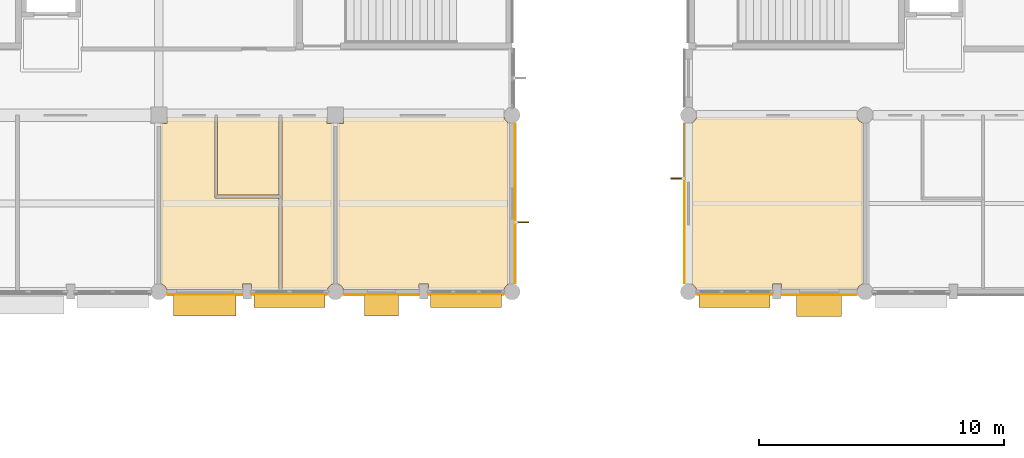
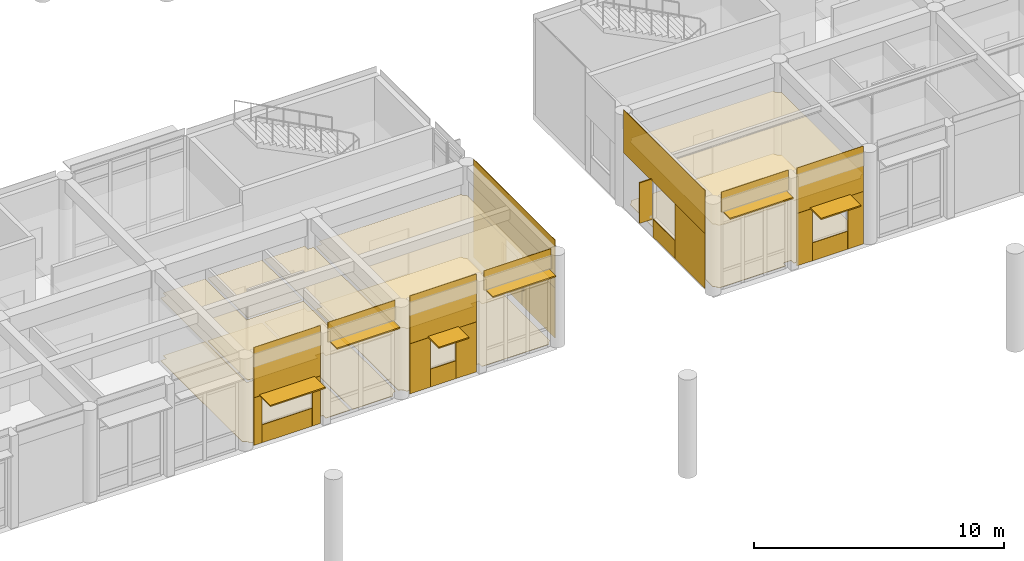
# One storey, part 72 of 92: 32 coverings, 8 shading devices.
"""IFC4 building model written with IfcOpenShell, lengths in metres."""

from ifc_helpers import new_model, si_unit, direction, frame, origin, origin_2d, place, context, subcontext, project, spatial, polyline, rectangle, outline, extrude, material, layer, layer_set, type_object, element, save


model = new_model("IFC4")

# Units and contexts
model_context = context("Model", 3, precision=1e-05, world=origin(), true_north=direction((0.0, 1.0)))
body_context = subcontext(model_context, "Body", "Model", "MODEL_VIEW")
ifc_project = project(units=[si_unit("LENGTHUNIT", "METRE"), si_unit("AREAUNIT", "SQUARE_METRE"), si_unit("VOLUMEUNIT", "CUBIC_METRE"), si_unit("PLANEANGLEUNIT", "RADIAN"), si_unit("MASSUNIT", "GRAM", prefix="KILO")], contexts=[model_context])

# Site, building, storey
site_placement = place(None, origin())
site = spatial("IfcSite", under=ifc_project, at=site_placement, CompositionType="ELEMENT")
building_placement = place(site_placement, origin())
building = spatial("IfcBuilding", under=site, at=building_placement, Name="Namkhue Oval Health Centre", CompositionType="ELEMENT")
storey_placement = place(building_placement, frame((0.0, 0.0, 4.800048828125)))
storey = spatial("IfcBuildingStorey", under=building, at=storey_placement, Name="L01", CompositionType="ELEMENT", Elevation=4.800048828125)

# Coverings
ifc_material_1 = material(Name="Acoustic mineral-fibre cleanroom ceiling", Category="gypsum")
ifc_layer_1 = layer(ifc_material_1, 0.02001953125)
ifc_layer_set_1 = layer_set([ifc_layer_1], Name="Acoustic mineral-fibre cleanroom ceiling")
covering_type_1 = type_object("IfcCoveringType", Name="ACOUSTIC CLEANROOM CEILING 20", PredefinedType="CEILING", material=ifc_layer_set_1)
covering_1_placement = place(storey_placement, frame((0.0, 0.0, 3.050048828125)))
element("IfcCovering", 1, at=covering_1_placement, inside=storey, type_object=covering_type_1, Name="Acoustic Ceiling L01-405 Phlebotomy Pathology Laboratory", PredefinedType="CEILING", context=body_context, shape_type="SweptSolid", body=[
    extrude(outline(polyline([(74.280029296875, 21.52001953125), (74.280029296875, 18.219970703125), (76.89990234375, 18.219970703125), (76.89990234375, 14.485107421875), (75.784912109375, 14.485107421875), (75.784912109375, 14.7099609375), (75.4150390625, 14.7099609375), (75.4150390625, 14.485107421875), (72.32373046875, 14.485107421875), (72.2900390625, 14.5673828125), (72.23681640625, 14.636962890625), (72.16748046875, 14.690185546875), (72.086669921875, 14.7236328125), (72.070068359375, 14.725830078125), (72.070068359375, 21.264892578125), (72.3349609375, 21.264892578125), (72.3349609375, 21.52001953125), (74.280029296875, 21.52001953125)])), origin(), (0.0, 0.0, 1.0), 0.02001953125),
])
covering_2_placement = place(storey_placement, frame((0.0, 0.0, 3.050048828125)))
element("IfcCovering", 2, at=covering_2_placement, inside=storey, type_object=covering_type_1, Name="Acoustic Ceiling L01-406 Accessible WC", PredefinedType="CEILING", context=body_context, shape_type="SweptSolid", body=[
    extrude(outline(polyline([(74.39990234375, 18.340087890625), (74.39990234375, 21.52001953125), (76.89990234375, 21.52001953125), (76.89990234375, 18.340087890625), (74.39990234375, 18.340087890625)])), origin(), (0.0, 0.0, 1.0), 0.02001953125),
])
covering_3_placement = place(storey_placement, frame((0.0, 0.0, 3.050048828125)))
element("IfcCovering", 3, at=covering_3_placement, inside=storey, type_object=covering_type_1, Name="Acoustic Ceiling L01-407 Patient Washroom", PredefinedType="CEILING", context=body_context, shape_type="SweptSolid", body=[
    extrude(outline(polyline([(77.02001953125, 14.485107421875), (77.02001953125, 21.52001953125), (78.864990234375, 21.52001953125), (78.864990234375, 21.264892578125), (79.1298828125, 21.264892578125), (79.1298828125, 14.725830078125), (79.11328125, 14.7236328125), (79.032470703125, 14.690185546875), (78.963134765625, 14.636962890625), (78.909912109375, 14.5673828125), (78.876220703125, 14.485107421875), (77.02001953125, 14.485107421875)])), origin(), (0.0, 0.0, 1.0), 0.02001953125),
])
covering_4_placement = place(storey_placement, frame((0.0, 0.0, 3.050048828125)))
element("IfcCovering", 4, at=covering_4_placement, inside=storey, type_object=covering_type_1, Name="Acoustic Ceiling L01-408 Digital X Ray Suite", PredefinedType="CEILING", context=body_context, shape_type="SweptSolid", body=[
    extrude(outline(polyline([(82.985107421875, 14.485107421875), (82.985107421875, 14.7099609375), (82.614990234375, 14.7099609375), (82.614990234375, 14.485107421875), (79.523681640625, 14.485107421875), (79.489990234375, 14.5673828125), (79.43701171875, 14.636962890625), (79.367431640625, 14.690185546875), (79.28662109375, 14.7236328125), (79.27001953125, 14.725830078125), (79.27001953125, 21.264892578125), (79.534912109375, 21.264892578125), (79.534912109375, 21.52001953125), (86.075439453125, 21.52001953125), (86.10986328125, 21.4326171875), (86.1630859375, 21.363037109375), (86.232421875, 21.309814453125), (86.2451171875, 21.3046875), (86.2451171875, 14.6953125), (86.232421875, 14.690185546875), (86.1630859375, 14.636962890625), (86.10986328125, 14.5673828125), (86.076171875, 14.485107421875), (82.985107421875, 14.485107421875)])), origin(), (0.0, 0.0, 1.0), 0.02001953125),
])
covering_5_placement = place(storey_placement, frame((0.0, 0.0, 3.050048828125)))
element("IfcCovering", 5, at=covering_5_placement, inside=storey, type_object=covering_type_1, Name="Acoustic Ceiling L01-501 Oral Surgery Procedure Suite", PredefinedType="CEILING", context=body_context, shape_type="SweptSolid", body=[
    extrude(outline(polyline([(97.385009765625, 14.485107421875), (97.385009765625, 14.7099609375), (97.014892578125, 14.7099609375), (97.014892578125, 14.485107421875), (93.923828125, 14.485107421875), (93.89013671875, 14.5673828125), (93.8369140625, 14.636962890625), (93.767578125, 14.690185546875), (93.7548828125, 14.6953125), (93.7548828125, 21.3046875), (93.767578125, 21.309814453125), (93.8369140625, 21.363037109375), (93.89013671875, 21.4326171875), (93.924560546875, 21.52001953125), (100.4755859375, 21.52001953125), (100.510009765625, 21.4326171875), (100.56298828125, 21.363037109375), (100.632568359375, 21.309814453125), (100.71337890625, 21.2763671875), (100.72998046875, 21.274169921875), (100.72998046875, 14.725830078125), (100.71337890625, 14.7236328125), (100.632568359375, 14.690185546875), (100.56298828125, 14.636962890625), (100.510009765625, 14.5673828125), (100.476318359375, 14.485107421875), (97.385009765625, 14.485107421875)])), origin(), (0.0, 0.0, 1.0), 0.02001953125),
])
ifc_material_2 = material(Name="Homogeneous anti-bacterial clinical vinyl flooring", Category="plastic")
ifc_layer_2 = layer(ifc_material_2, 0.014892578125)
ifc_layer_set_2 = layer_set([ifc_layer_2], Name="Homogeneous anti-bacterial clinical vinyl flooring")
covering_type_2 = type_object("IfcCoveringType", Name="CLINICAL ANTIBACTERIAL VINYL FLOORING 15", PredefinedType="FLOORING", material=ifc_layer_set_2)
covering_6_placement = place(storey_placement, origin())
element("IfcCovering", 6, at=covering_6_placement, inside=storey, type_object=covering_type_2, Name="Clinical Flooring L01-405 Phlebotomy Pathology Laboratory", PredefinedType="FLOORING", context=body_context, shape_type="SweptSolid", body=[
    extrude(outline(polyline([(74.280029296875, 21.52001953125), (74.280029296875, 18.219970703125), (76.89990234375, 18.219970703125), (76.89990234375, 14.485107421875), (75.784912109375, 14.485107421875), (75.784912109375, 14.7099609375), (75.4150390625, 14.7099609375), (75.4150390625, 14.485107421875), (72.32373046875, 14.485107421875), (72.2900390625, 14.5673828125), (72.23681640625, 14.636962890625), (72.16748046875, 14.690185546875), (72.086669921875, 14.7236328125), (72.070068359375, 14.725830078125), (72.070068359375, 21.264892578125), (72.3349609375, 21.264892578125), (72.3349609375, 21.52001953125), (74.280029296875, 21.52001953125)])), origin(), (0.0, 0.0, 1.0), 0.014892578125),
])
covering_7_placement = place(storey_placement, origin())
element("IfcCovering", 7, at=covering_7_placement, inside=storey, type_object=covering_type_2, Name="Clinical Flooring L01-406 Accessible WC", PredefinedType="FLOORING", context=body_context, shape_type="SweptSolid", body=[
    extrude(outline(polyline([(74.39990234375, 18.340087890625), (74.39990234375, 21.52001953125), (76.89990234375, 21.52001953125), (76.89990234375, 18.340087890625), (74.39990234375, 18.340087890625)])), origin(), (0.0, 0.0, 1.0), 0.014892578125),
])
covering_8_placement = place(storey_placement, origin())
element("IfcCovering", 8, at=covering_8_placement, inside=storey, type_object=covering_type_2, Name="Clinical Flooring L01-407 Patient Washroom", PredefinedType="FLOORING", context=body_context, shape_type="SweptSolid", body=[
    extrude(outline(polyline([(77.02001953125, 14.485107421875), (77.02001953125, 21.52001953125), (78.864990234375, 21.52001953125), (78.864990234375, 21.264892578125), (79.1298828125, 21.264892578125), (79.1298828125, 14.725830078125), (79.11328125, 14.7236328125), (79.032470703125, 14.690185546875), (78.963134765625, 14.636962890625), (78.909912109375, 14.5673828125), (78.876220703125, 14.485107421875), (77.02001953125, 14.485107421875)])), origin(), (0.0, 0.0, 1.0), 0.014892578125),
])
covering_9_placement = place(storey_placement, origin())
element("IfcCovering", 9, at=covering_9_placement, inside=storey, type_object=covering_type_2, Name="Clinical Flooring L01-408 Digital X Ray Suite", PredefinedType="FLOORING", context=body_context, shape_type="SweptSolid", body=[
    extrude(outline(polyline([(82.985107421875, 14.485107421875), (82.985107421875, 14.7099609375), (82.614990234375, 14.7099609375), (82.614990234375, 14.485107421875), (79.523681640625, 14.485107421875), (79.489990234375, 14.5673828125), (79.43701171875, 14.636962890625), (79.367431640625, 14.690185546875), (79.28662109375, 14.7236328125), (79.27001953125, 14.725830078125), (79.27001953125, 21.264892578125), (79.534912109375, 21.264892578125), (79.534912109375, 21.52001953125), (86.075439453125, 21.52001953125), (86.10986328125, 21.4326171875), (86.1630859375, 21.363037109375), (86.232421875, 21.309814453125), (86.2451171875, 21.3046875), (86.2451171875, 14.6953125), (86.232421875, 14.690185546875), (86.1630859375, 14.636962890625), (86.10986328125, 14.5673828125), (86.076171875, 14.485107421875), (82.985107421875, 14.485107421875)])), origin(), (0.0, 0.0, 1.0), 0.014892578125),
])
covering_10_placement = place(storey_placement, origin())
element("IfcCovering", 10, at=covering_10_placement, inside=storey, type_object=covering_type_2, Name="Clinical Flooring L01-501 Oral Surgery Procedure Suite", PredefinedType="FLOORING", context=body_context, shape_type="SweptSolid", body=[
    extrude(outline(polyline([(97.385009765625, 14.485107421875), (97.385009765625, 14.7099609375), (97.014892578125, 14.7099609375), (97.014892578125, 14.485107421875), (93.923828125, 14.485107421875), (93.89013671875, 14.5673828125), (93.8369140625, 14.636962890625), (93.767578125, 14.690185546875), (93.7548828125, 14.6953125), (93.7548828125, 21.3046875), (93.767578125, 21.309814453125), (93.8369140625, 21.363037109375), (93.89013671875, 21.4326171875), (93.924560546875, 21.52001953125), (100.4755859375, 21.52001953125), (100.510009765625, 21.4326171875), (100.56298828125, 21.363037109375), (100.632568359375, 21.309814453125), (100.71337890625, 21.2763671875), (100.72998046875, 21.274169921875), (100.72998046875, 14.725830078125), (100.71337890625, 14.7236328125), (100.632568359375, 14.690185546875), (100.56298828125, 14.636962890625), (100.510009765625, 14.5673828125), (100.476318359375, 14.485107421875), (97.385009765625, 14.485107421875)])), origin(), (0.0, 0.0, 1.0), 0.014892578125),
])

# Shading devices
ifc_material_3 = material(Name="Anodised aluminium EN AW-6063 T6", Category="aluminium")
ifc_layer_3 = layer(ifc_material_3, 0.06005859375)
ifc_layer_set_3 = layer_set([ifc_layer_3], Name="Anodised aluminium EN AW-6063 T6")
shading_device_type_1 = type_object("IfcShadingDeviceType", Name="MONSOON SUN LOUVRE 900", PredefinedType="JALOUSIE", material=ifc_layer_set_3)
shading_device_1_placement = place(storey_placement, frame((73.87451171875, 13.864990234375, 2.33984375), z_axis=(0.0, 0.0, 1.0), x_axis=(1.0, 0.0, 0.0)))
element("IfcShadingDevice", 11, at=shading_device_1_placement, inside=storey, type_object=shading_device_type_1, Name="Volume V4 L01 Window Monsoon Louvre 200", PredefinedType="JALOUSIE", context=body_context, shape_type="SweptSolid", body=[
    extrude(rectangle(XDim=2.5400390625, YDim=0.89990234375, at=origin_2d()), origin(), (0.0, 0.0, 1.0), 0.06005859375),
])
shading_device_2_placement = place(storey_placement, frame((81.074462890625, 13.860107421875, 2.4599609375), z_axis=(0.0, 0.0, 1.0), x_axis=(1.0, 0.0, 0.0)))
element("IfcShadingDevice", 12, at=shading_device_2_placement, inside=storey, type_object=shading_device_type_1, Name="Volume V4 L01 Window Monsoon Louvre 202", PredefinedType="JALOUSIE", context=body_context, shape_type="SweptSolid", body=[
    extrude(rectangle(XDim=1.389892578125, YDim=0.89990234375, at=origin_2d()), origin(), (0.0, 0.0, 1.0), 0.06005859375),
])
shading_device_3_placement = place(storey_placement, frame((98.925537109375, 13.844970703125, 2.579833984375), z_axis=(0.0, 0.0, 1.0), x_axis=(1.0, 0.0, 0.0)))
element("IfcShadingDevice", 13, at=shading_device_3_placement, inside=storey, type_object=shading_device_type_1, Name="Volume V5 L01 Window Monsoon Louvre 252", PredefinedType="JALOUSIE", context=body_context, shape_type="SweptSolid", body=[
    extrude(rectangle(XDim=1.840087890625, YDim=0.89990234375, at=origin_2d()), origin(), (0.0, 0.0, 1.0), 0.06005859375),
])
ifc_layer_4 = layer(ifc_material_3, 0.050048828125)
ifc_layer_set_4 = layer_set([ifc_layer_4], Name="Anodised aluminium EN AW-6063 T6")
shading_device_type_2 = type_object("IfcShadingDeviceType", Name="STORM SHUTTER LOUVRE 650", PredefinedType="SHUTTER", material=ifc_layer_set_4)
for number, where, z_axis, x_axis, name in (
    (14, (77.325439453125, 14.074951171875, 3.784912109375), (0.0, 0.0, 1.0), (1.0, 0.0, 0.0), "Volume V4 L01 Horizontal Monsoon Sun Louvre 201"),
    (15, (84.525390625, 14.074951171875, 3.784912109375), (0.0, 0.0, 1.0), (1.0, 0.0, 0.0), "Volume V4 L01 Horizontal Monsoon Sun Louvre 203"),
    (16, (95.474609375, 14.074951171875, 3.77001953125), (0.0, 0.0, 1.0), (1.0, 0.0, 0.0), "Volume V5 L01 Horizontal Monsoon Sun Louvre 251"),
):
    element("IfcShadingDevice", number, at=place(storey_placement, frame(where, z_axis=z_axis, x_axis=x_axis)), inside=storey, type_object=shading_device_type_2, Name=name, PredefinedType="SHUTTER", context=body_context, shape_type="SweptSolid", body=[
        extrude(rectangle(XDim=2.908935546875, YDim=0.64990234375, at=origin_2d()), origin(), (0.0, 0.0, 1.0), 0.06005859375),
    ])
shading_device_type_3 = type_object("IfcShadingDeviceType", Name="VERTICAL SOLAR FIN 600", PredefinedType="USERDEFINED", material=ifc_material_3)
shading_device_4_placement = place(storey_placement, frame((86.784912109375, 17.235107421875, 0.7998046875), z_axis=(0.0, 0.0, 1.0), x_axis=(1.0, 0.0, 0.0)))
element("IfcShadingDevice", 17, at=shading_device_4_placement, inside=storey, type_object=shading_device_type_3, Name="Volume V4 L01 Window Solar Fin 204", ObjectType="SOLAR FIN", PredefinedType="USERDEFINED", context=body_context, shape_type="SweptSolid", body=[
    extrude(rectangle(XDim=0.60009765625, YDim=0.06005859375, at=origin_2d()), origin(), (0.0, 0.0, 1.0), 1.739990234375),
])
shading_device_5_placement = place(storey_placement, frame((93.1650390625, 19.014892578125, 0.800048828125), z_axis=(0.0, 0.0, 1.0), x_axis=(-1.0, 0.0, 0.0)))
element("IfcShadingDevice", 18, at=shading_device_5_placement, inside=storey, type_object=shading_device_type_3, Name="Volume V5 L01 Window Solar Fin 265", ObjectType="SOLAR FIN", PredefinedType="USERDEFINED", context=body_context, shape_type="SweptSolid", body=[
    extrude(rectangle(XDim=0.60009765625, YDim=0.06005859375, at=origin_2d()), origin(), (0.0, 0.0, 1.0), 1.97998046875),
])

# Coverings
ifc_material_4 = material(Name="White glass-fibre reinforced concrete GRC rainscreen cladding", Category="concrete")
ifc_layer_5 = layer(ifc_material_4, 0.02490234375)
ifc_layer_set_5 = layer_set([ifc_layer_5], Name="White glass-fibre reinforced concrete GRC rainscreen cladding")
covering_type_3 = type_object("IfcCoveringType", Name="WHITE GRC RAINSCREEN CLADDING 25", PredefinedType="CLADDING", material=ifc_layer_set_5)
covering_11_placement = place(storey_placement, frame((73.87451171875, 14.29296875, 2.3349609375), z_axis=(0.0, 0.0, 1.0), x_axis=(1.0, 0.0, 0.0)))
element("IfcCovering", 19, at=covering_11_placement, inside=storey, type_object=covering_type_3, Name="Volume V4 L01 Facade 98 White GRC Cladding 1", PredefinedType="CLADDING", context=body_context, shape_type="SweptSolid", body=[
    extrude(rectangle(XDim=3.069091796875, YDim=0.02490234375, at=origin_2d()), origin(), (0.0, 0.0, 1.0), 2.455078125),
])
covering_12_placement = place(storey_placement, frame((72.524658203125, 14.29296875, 0.009765625), z_axis=(0.0, 0.0, 1.0), x_axis=(1.0, 0.0, 0.0)))
element("IfcCovering", 20, at=covering_12_placement, inside=storey, type_object=covering_type_3, Name="Volume V4 L01 Facade 98 White GRC Cladding 2", PredefinedType="CLADDING", context=body_context, shape_type="SweptSolid", body=[
    extrude(rectangle(XDim=0.369384765625, YDim=0.02490234375, at=origin_2d()), origin(), (0.0, 0.0, 1.0), 2.320068359375),
])
covering_13_placement = place(storey_placement, frame((73.87451171875, 14.29296875, 0.010009765625), z_axis=(0.0, 0.0, 1.0), x_axis=(1.0, 0.0, 0.0)))
element("IfcCovering", 21, at=covering_13_placement, inside=storey, type_object=covering_type_3, Name="Volume V4 L01 Facade 98 White GRC Cladding 3", PredefinedType="CLADDING", context=body_context, shape_type="SweptSolid", body=[
    extrude(rectangle(XDim=2.320068359375, YDim=0.02490234375, at=origin_2d()), origin(), (0.0, 0.0, 1.0), 0.875),
])
covering_14_placement = place(storey_placement, frame((75.22412109375, 14.29296875, 0.009765625), z_axis=(0.0, 0.0, 1.0), x_axis=(1.0, 0.0, 0.0)))
element("IfcCovering", 22, at=covering_14_placement, inside=storey, type_object=covering_type_3, Name="Volume V4 L01 Facade 98 White GRC Cladding 4", PredefinedType="CLADDING", context=body_context, shape_type="SweptSolid", body=[
    extrude(rectangle(XDim=0.369384765625, YDim=0.02490234375, at=origin_2d()), origin(), (0.0, 0.0, 1.0), 2.320068359375),
])
covering_15_placement = place(storey_placement, frame((77.325439453125, 14.3115234375, 3.840087890625), z_axis=(0.0, 0.0, 1.0), x_axis=(1.0, 0.0, 0.0)))
element("IfcCovering", 23, at=covering_15_placement, inside=storey, type_object=covering_type_3, Name="Volume V4 L01 Curtain Wall Spandrel Cladding 150", PredefinedType="CLADDING", context=body_context, shape_type="SweptSolid", body=[
    extrude(rectangle(XDim=3.09912109375, YDim=0.02490234375, at=origin_2d()), origin(), (0.0, 0.0, 1.0), 0.9599609375),
])
covering_16_placement = place(storey_placement, frame((81.074462890625, 14.2880859375, 2.455078125), z_axis=(0.0, 0.0, 1.0), x_axis=(1.0, 0.0, 0.0)))
element("IfcCovering", 24, at=covering_16_placement, inside=storey, type_object=covering_type_3, Name="Volume V4 L01 Facade 99 White GRC Cladding 1", PredefinedType="CLADDING", context=body_context, shape_type="SweptSolid", body=[
    extrude(rectangle(XDim=3.069091796875, YDim=0.02490234375, at=origin_2d()), origin(), (0.0, 0.0, 1.0), 2.3349609375),
])
covering_17_placement = place(storey_placement, frame((80.01220703125, 14.2880859375, 0.010009765625), z_axis=(0.0, 0.0, 1.0), x_axis=(1.0, 0.0, 0.0)))
element("IfcCovering", 25, at=covering_17_placement, inside=storey, type_object=covering_type_3, Name="Volume V4 L01 Facade 99 White GRC Cladding 2", PredefinedType="CLADDING", context=body_context, shape_type="SweptSolid", body=[
    extrude(rectangle(XDim=0.944580078125, YDim=0.02490234375, at=origin_2d()), origin(), (0.0, 0.0, 1.0), 2.43994140625),
])
covering_18_placement = place(storey_placement, frame((81.074462890625, 14.2880859375, 0.010009765625), z_axis=(0.0, 0.0, 1.0), x_axis=(1.0, 0.0, 0.0)))
element("IfcCovering", 26, at=covering_18_placement, inside=storey, type_object=covering_type_3, Name="Volume V4 L01 Facade 99 White GRC Cladding 3", PredefinedType="CLADDING", context=body_context, shape_type="SweptSolid", body=[
    extrude(rectangle(XDim=1.169921875, YDim=0.02490234375, at=origin_2d()), origin(), (0.0, 0.0, 1.0), 0.875),
])
covering_19_placement = place(storey_placement, frame((82.13671875, 14.2880859375, 0.010009765625), z_axis=(0.0, 0.0, 1.0), x_axis=(1.0, 0.0, 0.0)))
element("IfcCovering", 27, at=covering_19_placement, inside=storey, type_object=covering_type_3, Name="Volume V4 L01 Facade 99 White GRC Cladding 4", PredefinedType="CLADDING", context=body_context, shape_type="SweptSolid", body=[
    extrude(rectangle(XDim=0.944580078125, YDim=0.02490234375, at=origin_2d()), origin(), (0.0, 0.0, 1.0), 2.43994140625),
])
covering_20_placement = place(storey_placement, frame((84.525390625, 14.3115234375, 3.840087890625), z_axis=(0.0, 0.0, 1.0), x_axis=(1.0, 0.0, 0.0)))
element("IfcCovering", 28, at=covering_20_placement, inside=storey, type_object=covering_type_3, Name="Volume V4 L01 Curtain Wall Spandrel Cladding 151", PredefinedType="CLADDING", context=body_context, shape_type="SweptSolid", body=[
    extrude(rectangle(XDim=3.09912109375, YDim=0.02490234375, at=origin_2d()), origin(), (0.0, 0.0, 1.0), 0.9599609375),
])
covering_21_placement = place(storey_placement, frame((86.51708984375, 18.0, 2.455078125), z_axis=(0.0, 0.0, 1.0), x_axis=(0.0, 1.0, 0.0)))
element("IfcCovering", 29, at=covering_21_placement, inside=storey, type_object=covering_type_3, Name="Volume V4 L01 Facade 100 White GRC Cladding 1", PredefinedType="CLADDING", context=body_context, shape_type="SweptSolid", body=[
    extrude(rectangle(XDim=6.52001953125, YDim=0.02490234375, at=origin_2d()), origin(), (0.0, 0.0, 1.0), 2.3349609375),
])
covering_22_placement = place(storey_placement, frame((86.51708984375, 16.050048828125, 0.010009765625), z_axis=(0.0, 0.0, 1.0), x_axis=(0.0, 1.0, 0.0)))
element("IfcCovering", 30, at=covering_22_placement, inside=storey, type_object=covering_type_3, Name="Volume V4 L01 Facade 100 White GRC Cladding 2", PredefinedType="CLADDING", context=body_context, shape_type="SweptSolid", body=[
    extrude(rectangle(XDim=2.6201171875, YDim=0.02490234375, at=origin_2d()), origin(), (0.0, 0.0, 1.0), 2.43994140625),
])
covering_23_placement = place(storey_placement, frame((86.51708984375, 18.0, 0.010009765625), z_axis=(0.0, 0.0, 1.0), x_axis=(0.0, 1.0, 0.0)))
element("IfcCovering", 31, at=covering_23_placement, inside=storey, type_object=covering_type_3, Name="Volume V4 L01 Facade 100 White GRC Cladding 3", PredefinedType="CLADDING", context=body_context, shape_type="SweptSolid", body=[
    extrude(rectangle(XDim=1.27001953125, YDim=0.02490234375, at=origin_2d()), origin(), (0.0, 0.0, 1.0), 0.875),
])
covering_24_placement = place(storey_placement, frame((86.51708984375, 19.949951171875, 0.010009765625), z_axis=(0.0, 0.0, 1.0), x_axis=(0.0, 1.0, 0.0)))
element("IfcCovering", 32, at=covering_24_placement, inside=storey, type_object=covering_type_3, Name="Volume V4 L01 Facade 100 White GRC Cladding 4", PredefinedType="CLADDING", context=body_context, shape_type="SweptSolid", body=[
    extrude(rectangle(XDim=2.6201171875, YDim=0.02490234375, at=origin_2d()), origin(), (0.0, 0.0, 1.0), 2.43994140625),
])
covering_25_placement = place(storey_placement, frame((95.474609375, 14.3115234375, 3.824951171875), z_axis=(0.0, 0.0, 1.0), x_axis=(1.0, 0.0, 0.0)))
element("IfcCovering", 33, at=covering_25_placement, inside=storey, type_object=covering_type_3, Name="Volume V5 L01 Curtain Wall Spandrel Cladding 187", PredefinedType="CLADDING", context=body_context, shape_type="SweptSolid", body=[
    extrude(rectangle(XDim=3.09912109375, YDim=0.02490234375, at=origin_2d()), origin(), (0.0, 0.0, 1.0), 0.97509765625),
])
covering_26_placement = place(storey_placement, frame((98.925537109375, 14.27294921875, 2.57470703125), z_axis=(0.0, 0.0, 1.0), x_axis=(1.0, 0.0, 0.0)))
element("IfcCovering", 34, at=covering_26_placement, inside=storey, type_object=covering_type_3, Name="Volume V5 L01 Facade 118 White GRC Cladding 1", PredefinedType="CLADDING", context=body_context, shape_type="SweptSolid", body=[
    extrude(rectangle(XDim=3.069091796875, YDim=0.02490234375, at=origin_2d()), origin(), (0.0, 0.0, 1.0), 2.215087890625),
])
covering_27_placement = place(storey_placement, frame((97.750732421875, 14.27294921875, 0.010009765625), z_axis=(0.0, 0.0, 1.0), x_axis=(1.0, 0.0, 0.0)))
element("IfcCovering", 35, at=covering_27_placement, inside=storey, type_object=covering_type_3, Name="Volume V5 L01 Facade 118 White GRC Cladding 2", PredefinedType="CLADDING", context=body_context, shape_type="SweptSolid", body=[
    extrude(rectangle(XDim=0.719482421875, YDim=0.02490234375, at=origin_2d()), origin(), (0.0, 0.0, 1.0), 2.56005859375),
])
covering_28_placement = place(storey_placement, frame((98.925537109375, 14.27294921875, 0.010009765625), z_axis=(0.0, 0.0, 1.0), x_axis=(1.0, 0.0, 0.0)))
element("IfcCovering", 36, at=covering_28_placement, inside=storey, type_object=covering_type_3, Name="Volume V5 L01 Facade 118 White GRC Cladding 3", PredefinedType="CLADDING", context=body_context, shape_type="SweptSolid", body=[
    extrude(rectangle(XDim=1.6201171875, YDim=0.02490234375, at=origin_2d()), origin(), (0.0, 0.0, 1.0), 0.875),
])
covering_29_placement = place(storey_placement, frame((100.100341796875, 14.27294921875, 0.010009765625), z_axis=(0.0, 0.0, 1.0), x_axis=(1.0, 0.0, 0.0)))
element("IfcCovering", 37, at=covering_29_placement, inside=storey, type_object=covering_type_3, Name="Volume V5 L01 Facade 118 White GRC Cladding 4", PredefinedType="CLADDING", context=body_context, shape_type="SweptSolid", body=[
    extrude(rectangle(XDim=0.719482421875, YDim=0.02490234375, at=origin_2d()), origin(), (0.0, 0.0, 1.0), 2.56005859375),
])
covering_30_placement = place(storey_placement, frame((93.43310546875, 18.0, 2.69482421875), z_axis=(0.0, 0.0, 1.0), x_axis=(0.0, -1.0, 0.0)))
element("IfcCovering", 38, at=covering_30_placement, inside=storey, type_object=covering_type_3, Name="Volume V5 L01 Facade 126 White GRC Cladding 1", PredefinedType="CLADDING", context=body_context, shape_type="SweptSolid", body=[
    extrude(rectangle(XDim=6.52001953125, YDim=0.02490234375, at=origin_2d()), origin(), (0.0, 0.0, 1.0), 2.094970703125),
])
covering_31_placement = place(storey_placement, frame((93.43310546875, 18.0, 0.010009765625), z_axis=(0.0, 0.0, 1.0), x_axis=(0.0, -1.0, 0.0)))
element("IfcCovering", 39, at=covering_31_placement, inside=storey, type_object=covering_type_3, Name="Volume V5 L01 Facade 126 White GRC Cladding 3", PredefinedType="CLADDING", context=body_context, shape_type="SweptSolid", body=[
    extrude(rectangle(XDim=1.77001953125, YDim=0.02490234375, at=origin_2d()), origin(), (0.0, 0.0, 1.0), 0.875),
])
covering_32_placement = place(storey_placement, frame((93.43310546875, 15.925048828125, 0.009765625), z_axis=(0.0, 0.0, 1.0), x_axis=(0.0, -1.0, 0.0)))
element("IfcCovering", 40, at=covering_32_placement, inside=storey, type_object=covering_type_3, Name="Volume V5 L01 Facade 126 White GRC Cladding 4", PredefinedType="CLADDING", context=body_context, shape_type="SweptSolid", body=[
    extrude(rectangle(XDim=2.3701171875, YDim=0.02490234375, at=origin_2d()), origin(), (0.0, 0.0, 1.0), 2.679931640625),
])

save(model, "model.ifc")
